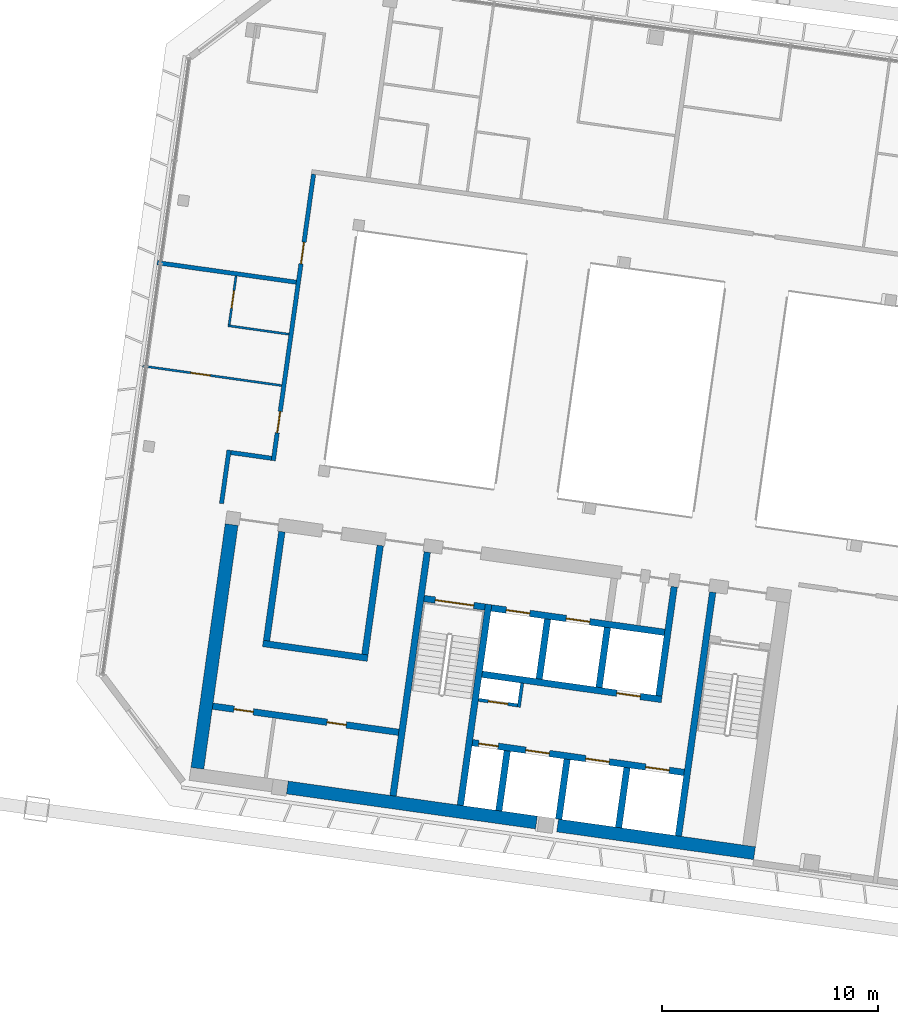
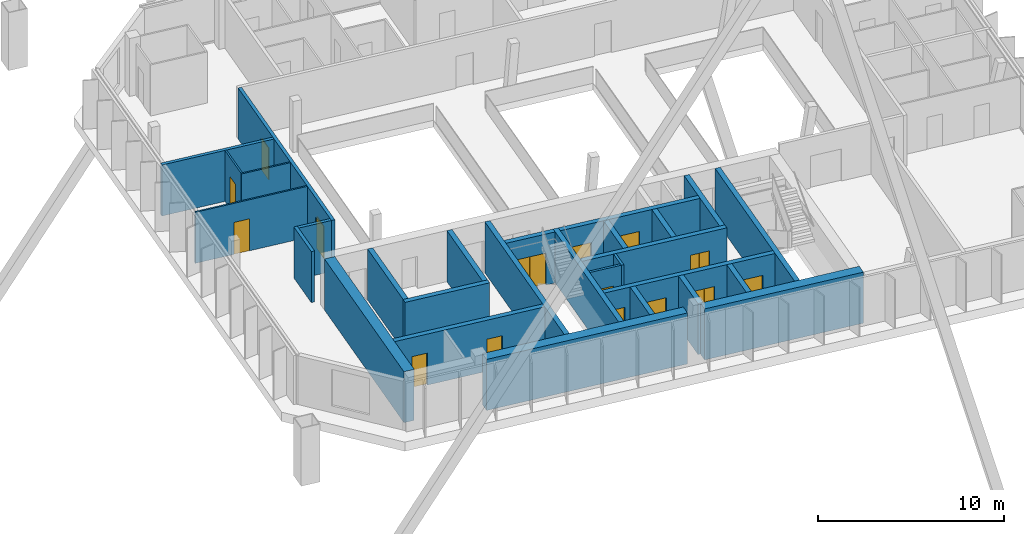
# One storey, part 19 of 28: 29 walls, 15 doors, 15 openings.
"""IFC4 building model written with IfcOpenShell, lengths in metres."""

from ifc_helpers import new_model, si_unit, direction, frame, frame_2d, origin, place, context, subcontext, project, spatial, rectangle, extrude, material, layer, layer_set, type_object, element, fill, save


model = new_model("IFC4")

# Units and contexts
model_context = context("Model", 3, precision=1e-05, world=origin(), true_north=direction((0.0, 1.0)))
body_context = subcontext(model_context, "Body", "Model", "MODEL_VIEW")
ifc_project = project(units=[si_unit("LENGTHUNIT", "METRE"), si_unit("AREAUNIT", "SQUARE_METRE"), si_unit("VOLUMEUNIT", "CUBIC_METRE"), si_unit("PLANEANGLEUNIT", "RADIAN"), si_unit("MASSUNIT", "GRAM", prefix="KILO")], contexts=[model_context])

# Site, building, storey
site_placement = place(None, origin())
site = spatial("IfcSite", under=ifc_project, at=site_placement, CompositionType="ELEMENT")
building_placement = place(site_placement, origin())
building = spatial("IfcBuilding", under=site, at=building_placement, Name="Mirante Cascada Hotel Towers", CompositionType="ELEMENT")
storey_placement = place(building_placement, frame((0.0, 0.0, 243.2)))
storey = spatial("IfcBuildingStorey", under=building, at=storey_placement, Name="L58", CompositionType="ELEMENT", Elevation=243.2)

# Walls
ifc_material_1 = material(Name="Fire-rated plasterboard on metal studs")
ifc_layer_1 = layer(ifc_material_1, 0.2)
ifc_layer_set_1 = layer_set([ifc_layer_1], Name="Compartment wall 200 EI 120")
wall_type_1 = type_object("IfcWallType", Name="Compartment wall 200 EI 120", PredefinedType="PARTITIONING", material=ifc_layer_set_1)
wall_1_placement = place(storey_placement, frame((-61.5676, -0.9969, 0.0), z_axis=(0.0, 0.0, 1.0), x_axis=(0.9902701, -0.1391589, 0.0)))
element("IfcWall", 1, at=wall_1_placement, inside=storey, type_object=wall_type_1, Name="Wall 1-L58-04", PredefinedType="PARTITIONING", context=body_context, shape_type="SweptSolid", body=[
    extrude(rectangle(XDim=1.9, YDim=0.2, at=frame_2d((0.95, 0.0))), origin(), (0.0, 0.0, 1.0), 3.35),
])
wall_2_placement = place(storey_placement, frame((-58.5402, 6.8919, 0.0), z_axis=(0.0, 0.0, 1.0), x_axis=(-0.9902688, 0.1391681, 0.0)))
element("IfcWall", 2, at=wall_2_placement, inside=storey, type_object=wall_type_1, Name="Wall 1-L58-13", PredefinedType="PARTITIONING", context=body_context, shape_type="SweptSolid", body=[
    extrude(rectangle(XDim=6.5001, YDim=0.2, at=frame_2d((3.25, 0.0))), origin(), (0.0, 0.0, 1.0), 3.35),
])

# Wall, openings, doors
wall_3_placement = place(storey_placement, frame((-57.7361, 11.8953, 0.0), z_axis=(0.0, 0.0, 1.0), x_axis=(-0.1391726, -0.9902681, 0.0)))
wall_3 = element("IfcWall", 3, at=wall_3_placement, inside=storey, type_object=wall_type_1, Name="Wall 1-L58-46", PredefinedType="PARTITIONING", context=body_context, shape_type="SweptSolid", body=[
    extrude(rectangle(XDim=13.3999, YDim=0.2, at=frame_2d((6.7, 0.0))), origin(), (0.0, 0.0, 1.0), 3.35),
])
opening_1_placement = place(wall_3_placement, frame((11.1, 0.0, 0.0)))
opening_1 = element("IfcOpeningElement", 4, at=opening_1_placement, cuts=wall_3, Name="Opening D1-L58-28", PredefinedType="OPENING", context=body_context, shape_type="SweptSolid", body=[
    extrude(rectangle(XDim=1.0, YDim=2.1, at=frame_2d((0.5, 1.05))), frame((0.0, 0.1, 0.0), z_axis=(0.0, -1.0, 0.0), x_axis=(1.0, 0.0, 0.0)), (0.0, 0.0, 1.0), 0.2),
])
opening_2_placement = place(wall_3_placement, frame((3.1834, 0.0, 0.0)))
opening_2 = element("IfcOpeningElement", 5, at=opening_2_placement, cuts=wall_3, Name="Opening D1-L58-29", PredefinedType="OPENING", context=body_context, shape_type="SweptSolid", body=[
    extrude(rectangle(XDim=1.0, YDim=2.1, at=frame_2d((0.5, 1.05))), frame((0.0, 0.1, 0.0), z_axis=(0.0, -1.0, 0.0), x_axis=(1.0, 0.0, 0.0)), (0.0, 0.0, 1.0), 0.2),
])
ifc_material_2 = material(Name="Fire-rated timber door leaf", Category="wood")
door_type_1 = type_object("IfcDoorType", Name="Entrance door DG1 1000x2100 EI 60", OperationType="SINGLE_SWING_LEFT", PredefinedType="DOOR", material=ifc_material_2)
door_1_placement = place(opening_1_placement, frame((1.0, 0.0, 0.0), z_axis=(0.0, 0.0, 1.0), x_axis=(-1.0, 0.0, 0.0)))
door_1 = element("IfcDoor", 6, at=door_1_placement, inside=storey, type_object=door_type_1, Name="Door D1-L58-28", OperationType="SINGLE_SWING_RIGHT", OverallHeight=2.1, OverallWidth=1.0, PredefinedType="DOOR", context=body_context, shape_type="SweptSolid", body=[
    extrude(rectangle(XDim=1.0, YDim=2.1, at=frame_2d((0.5, 1.05))), frame((0.0, 0.025, 0.0), z_axis=(0.0, -1.0, 0.0), x_axis=(1.0, 0.0, 0.0)), (0.0, 0.0, 1.0), 0.05),
])
fill(opening_1, door_1)
door_2_placement = place(opening_2_placement, frame((1.0, 0.0, 0.0), z_axis=(0.0, 0.0, 1.0), x_axis=(-1.0, 0.0, 0.0)))
door_2 = element("IfcDoor", 7, at=door_2_placement, inside=storey, type_object=door_type_1, Name="Door D1-L58-29", OperationType="SINGLE_SWING_RIGHT", OverallHeight=2.1, OverallWidth=1.0, PredefinedType="DOOR", context=body_context, shape_type="SweptSolid", body=[
    extrude(rectangle(XDim=1.0, YDim=2.1, at=frame_2d((0.5, 1.05))), frame((0.0, 0.025, 0.0), z_axis=(0.0, -1.0, 0.0), x_axis=(1.0, 0.0, 0.0)), (0.0, 0.0, 1.0), 0.05),
])
fill(opening_2, door_2)

# Walls
wall_4_placement = place(storey_placement, frame((-61.6527, -0.8839, 0.0), z_axis=(0.0, 0.0, 1.0), x_axis=(-0.1391586, -0.9902701, 0.0)))
element("IfcWall", 8, at=wall_4_placement, inside=storey, type_object=wall_type_1, Name="Wall 1-L58-48", PredefinedType="PARTITIONING", context=body_context, shape_type="SweptSolid", body=[
    extrude(rectangle(XDim=2.5, YDim=0.2, at=frame_2d((1.25, 0.0))), origin(), (0.0, 0.0, 1.0), 3.35),
])
ifc_material_3 = material(Name="Masonry block", Category="masonry")
ifc_layer_2 = layer(ifc_material_3, 0.15)
ifc_layer_set_2 = layer_set([ifc_layer_2], Name="Core room partition 150 block EI 30")
wall_type_2 = type_object("IfcWallType", Name="Core room partition 150 block EI 30", PredefinedType="PARTITIONING", material=ifc_layer_set_2)
wall_5_placement = place(storey_placement, frame((-48.2295, -12.793, 0.0), z_axis=(0.0, 0.0, 1.0), x_axis=(0.1391935, 0.9902652, 0.0)))
element("IfcWall", 9, at=wall_5_placement, inside=storey, type_object=wall_type_2, Name="Core wall partition T1 L58 2", PredefinedType="PARTITIONING", context=body_context, shape_type="SweptSolid", body=[
    extrude(rectangle(XDim=1.1251, YDim=0.15, at=frame_2d((0.5626, 0.0))), origin(), (0.0, 0.0, 1.0), 3.35),
])

# Wall, opening, door
wall_6_placement = place(storey_placement, frame((-48.2933, -12.7083, 0.0), z_axis=(0.0, 0.0, 1.0), x_axis=(-0.990268, 0.1391734, 0.0)))
wall_6 = element("IfcWall", 10, at=wall_6_placement, inside=storey, type_object=wall_type_2, Name="Core wall partition T1 L58 3", PredefinedType="PARTITIONING", context=body_context, shape_type="SweptSolid", body=[
    extrude(rectangle(XDim=1.8251, YDim=0.15, at=frame_2d((0.9126, 0.0))), origin(), (0.0, 0.0, 1.0), 3.35),
])
opening_3_placement = place(wall_6_placement, frame((0.4625, 0.0, 0.0)))
opening_3 = element("IfcOpeningElement", 11, at=opening_3_placement, cuts=wall_6, Name="Opening D1-58-C15", PredefinedType="OPENING", context=body_context, shape_type="SweptSolid", body=[
    extrude(rectangle(XDim=0.9, YDim=2.1, at=frame_2d((0.45, 1.05))), frame((0.0, 0.075, 0.0), z_axis=(0.0, -1.0, 0.0), x_axis=(1.0, 0.0, 0.0)), (0.0, 0.0, 1.0), 0.15),
])
ifc_material_4 = material(Name="Hollow metal fire door leaf")
door_type_2 = type_object("IfcDoorType", Name="Fire door 900x2100 FD60", OperationType="NOTDEFINED", PredefinedType="DOOR", material=ifc_material_4)
door_3_placement = place(opening_3_placement, origin())
door_3 = element("IfcDoor", 12, at=door_3_placement, inside=storey, type_object=door_type_2, Name="Riser door T1 L58 15", OperationType="SINGLE_SWING_LEFT", OverallHeight=2.1, OverallWidth=0.9, PredefinedType="DOOR", context=body_context, shape_type="SweptSolid", body=[
    extrude(rectangle(XDim=0.9, YDim=2.1, at=frame_2d((0.45, 1.05))), frame((0.0, 0.025, 0.0), z_axis=(0.0, -1.0, 0.0), x_axis=(1.0, 0.0, 0.0)), (0.0, 0.0, 1.0), 0.05),
])
fill(opening_3, door_3)

# Wall, openings, doors
ifc_material_5 = material(Name="Masonry block", Category="masonry")
ifc_layer_3 = layer(ifc_material_5, 0.3)
ifc_layer_set_3 = layer_set([ifc_layer_3], Name="Core wall 300 block EI 120")
wall_type_3 = type_object("IfcWallType", Name="Core wall 300 block EI 120", PredefinedType="PARTITIONING", material=ifc_layer_set_3)
wall_7_placement = place(storey_placement, frame((-53.7953, -13.9547, 0.0), z_axis=(0.0, 0.0, 1.0), x_axis=(-0.9902683, 0.1391714, 0.0)))
wall_7 = element("IfcWall", 13, at=wall_7_placement, inside=storey, type_object=wall_type_3, Name="Core wall partition T1 L58 5", PredefinedType="PARTITIONING", context=body_context, shape_type="SweptSolid", body=[
    extrude(rectangle(XDim=8.7001, YDim=0.3, at=frame_2d((4.3501, 0.0))), origin(), (0.0, 0.0, 1.0), 3.35),
])
opening_4_placement = place(wall_7_placement, frame((2.45, 0.0, 0.0)))
opening_4 = element("IfcOpeningElement", 14, at=opening_4_placement, cuts=wall_7, Name="Opening D1-58-C18", PredefinedType="OPENING", context=body_context, shape_type="SweptSolid", body=[
    extrude(rectangle(XDim=0.9, YDim=2.1, at=frame_2d((0.45, 1.05))), frame((0.0, 0.15, 0.0), z_axis=(0.0, -1.0, 0.0), x_axis=(1.0, 0.0, 0.0)), (0.0, 0.0, 1.0), 0.3),
])
opening_5_placement = place(wall_7_placement, frame((6.8, 0.0, 0.0)))
opening_5 = element("IfcOpeningElement", 15, at=opening_5_placement, cuts=wall_7, Name="Opening D1-58-C19", PredefinedType="OPENING", context=body_context, shape_type="SweptSolid", body=[
    extrude(rectangle(XDim=0.9, YDim=2.1, at=frame_2d((0.45, 1.05))), frame((0.0, 0.15, 0.0), z_axis=(0.0, -1.0, 0.0), x_axis=(1.0, 0.0, 0.0)), (0.0, 0.0, 1.0), 0.3),
])
door_4_placement = place(opening_4_placement, origin())
door_4 = element("IfcDoor", 16, at=door_4_placement, inside=storey, type_object=door_type_2, Name="Room door T1 L58 18", OperationType="SINGLE_SWING_RIGHT", OverallHeight=2.1, OverallWidth=0.9, PredefinedType="DOOR", context=body_context, shape_type="SweptSolid", body=[
    extrude(rectangle(XDim=0.9, YDim=2.1, at=frame_2d((0.45, 1.05))), frame((0.0, 0.025, 0.0), z_axis=(0.0, -1.0, 0.0), x_axis=(1.0, 0.0, 0.0)), (0.0, 0.0, 1.0), 0.05),
])
fill(opening_4, door_4)
door_5_placement = place(opening_5_placement, origin())
door_5 = element("IfcDoor", 17, at=door_5_placement, inside=storey, type_object=door_type_2, Name="Room door T1 L58 19", OperationType="SINGLE_SWING_LEFT", OverallHeight=2.1, OverallWidth=0.9, PredefinedType="DOOR", context=body_context, shape_type="SweptSolid", body=[
    extrude(rectangle(XDim=0.9, YDim=2.1, at=frame_2d((0.45, 1.05))), frame((0.0, 0.025, 0.0), z_axis=(0.0, -1.0, 0.0), x_axis=(1.0, 0.0, 0.0)), (0.0, 0.0, 1.0), 0.05),
])
fill(opening_5, door_5)

# Wall, opening, door
ifc_material_6 = material(Name="Plasterboard on metal studs")
ifc_layer_4 = layer(ifc_material_6, 0.1)
ifc_layer_set_4 = layer_set([ifc_layer_4], Name="Partition 100")
wall_type_4 = type_object("IfcWallType", Name="Partition 100", PredefinedType="PARTITIONING", material=ifc_layer_set_4)
wall_8_placement = place(storey_placement, frame((-65.6497, 3.0102, 0.0), z_axis=(0.0, 0.0, 1.0), x_axis=(0.9902688, -0.1391681, 0.0)))
wall_8 = element("IfcWall", 18, at=wall_8_placement, inside=storey, type_object=wall_type_4, Name="Wall 1-L58-08", PredefinedType="PARTITIONING", context=body_context, shape_type="SweptSolid", body=[
    extrude(rectangle(XDim=6.5001, YDim=0.1, at=frame_2d((3.25, 0.0))), origin(), (0.0, 0.0, 1.0), 3.35),
])
opening_6_placement = place(wall_8_placement, frame((2.25, 0.0, 0.0)))
opening_6 = element("IfcOpeningElement", 19, at=opening_6_placement, cuts=wall_8, Name="Opening D1-L58-06", PredefinedType="OPENING", context=body_context, shape_type="SweptSolid", body=[
    extrude(rectangle(XDim=0.9, YDim=2.1, at=frame_2d((0.45, 1.05))), frame((0.0, 0.05, 0.0), z_axis=(0.0, -1.0, 0.0), x_axis=(1.0, 0.0, 0.0)), (0.0, 0.0, 1.0), 0.1),
])
ifc_material_7 = material(Name="Timber door leaf", Category="wood")
door_type_3 = type_object("IfcDoorType", Name="Room door DG3 900x2100", OperationType="SINGLE_SWING_LEFT", PredefinedType="DOOR", material=ifc_material_7)
door_6_placement = place(opening_6_placement, frame((0.9, 0.0, 0.0), z_axis=(0.0, 0.0, 1.0), x_axis=(-1.0, 0.0, 0.0)))
door_6 = element("IfcDoor", 20, at=door_6_placement, inside=storey, type_object=door_type_3, Name="Door D1-L58-06", OperationType="SINGLE_SWING_RIGHT", OverallHeight=2.1, OverallWidth=0.9, PredefinedType="DOOR", context=body_context, shape_type="SweptSolid", body=[
    extrude(rectangle(XDim=0.9, YDim=2.1, at=frame_2d((0.45, 1.05))), frame((0.0, 0.025, 0.0), z_axis=(0.0, -1.0, 0.0), x_axis=(1.0, 0.0, 0.0)), (0.0, 0.0, 1.0), 0.05),
])
fill(opening_6, door_6)

# Wall
wall_9_placement = place(storey_placement, frame((-58.8789, 4.4822, 0.0), z_axis=(0.0, 0.0, 1.0), x_axis=(-0.9902656, 0.1391909, 0.0)))
element("IfcWall", 21, at=wall_9_placement, inside=storey, type_object=wall_type_4, Name="Wall 1-L58-11", PredefinedType="PARTITIONING", context=body_context, shape_type="SweptSolid", body=[
    extrude(rectangle(XDim=2.85, YDim=0.1, at=frame_2d((1.425, 0.0))), origin(), (0.0, 0.0, 1.0), 3.35),
])

# Wall, opening, door
wall_10_placement = place(storey_placement, frame((-61.6447, 4.9214, 0.0), z_axis=(0.0, 0.0, 1.0), x_axis=(0.139183, 0.9902667, 0.0)))
wall_10 = element("IfcWall", 22, at=wall_10_placement, inside=storey, type_object=wall_type_4, Name="Wall 1-L58-49", PredefinedType="PARTITIONING", context=body_context, shape_type="SweptSolid", body=[
    extrude(rectangle(XDim=2.2833, YDim=0.1, at=frame_2d((1.1416, 0.0))), origin(), (0.0, 0.0, 1.0), 3.35),
])
opening_7_placement = place(wall_10_placement, frame((0.7833, 0.0, 0.0)))
opening_7 = element("IfcOpeningElement", 23, at=opening_7_placement, cuts=wall_10, Name="Opening D1-L58-30", PredefinedType="OPENING", context=body_context, shape_type="SweptSolid", body=[
    extrude(rectangle(XDim=0.8, YDim=2.1, at=frame_2d((0.4, 1.05))), frame((0.0, 0.05, 0.0), z_axis=(0.0, -1.0, 0.0), x_axis=(1.0, 0.0, 0.0)), (0.0, 0.0, 1.0), 0.1),
])
ifc_material_8 = material(Name="Timber door leaf", Category="wood")
door_type_4 = type_object("IfcDoorType", Name="Bathroom door DG4 800x2100", OperationType="SINGLE_SWING_LEFT", PredefinedType="DOOR", material=ifc_material_8)
door_7_placement = place(opening_7_placement, origin())
door_7 = element("IfcDoor", 24, at=door_7_placement, inside=storey, type_object=door_type_4, Name="Door D1-L58-30", OperationType="SINGLE_SWING_LEFT", OverallHeight=2.1, OverallWidth=0.8, PredefinedType="DOOR", context=body_context, shape_type="SweptSolid", body=[
    extrude(rectangle(XDim=0.8, YDim=2.1, at=frame_2d((0.4, 1.05))), frame((0.0, 0.025, 0.0), z_axis=(0.0, -1.0, 0.0), x_axis=(1.0, 0.0, 0.0)), (0.0, 0.0, 1.0), 0.05),
])
fill(opening_7, door_7)

# Walls
ifc_material_9 = material(Name="Concrete C50/60", Category="concrete")
ifc_layer_5 = layer(ifc_material_9, 0.3)
ifc_layer_set_5 = layer_set([ifc_layer_5], Name="RC core wall 300 C50/60")
wall_type_5 = type_object("IfcWallType", Name="RC core wall 300 C50/60", PredefinedType="SHEAR", material=ifc_layer_set_5)
wall_11_placement = place(storey_placement, frame((-40.8373, -18.7548, 0.0), z_axis=(0.0, 0.0, 1.0), x_axis=(0.1391749, 0.9902678, 0.0)))
element("IfcWall", 25, at=wall_11_placement, inside=storey, type_object=wall_type_5, Name="Core wall T1:L58:5", PredefinedType="SHEAR", context=body_context, shape_type="SweptSolid", body=[
    extrude(rectangle(XDim=11.4, YDim=0.3, at=frame_2d((5.7, 0.0))), origin(), (0.0, 0.0, 1.0), 3.35),
])
wall_12_placement = place(storey_placement, frame((-50.938, -17.3352, 0.0), z_axis=(0.0, 0.0, 1.0), x_axis=(0.1391706, 0.9902684, 0.0)))
element("IfcWall", 26, at=wall_12_placement, inside=storey, type_object=wall_type_5, Name="Core wall T1:L58:6", PredefinedType="SHEAR", context=body_context, shape_type="SweptSolid", body=[
    extrude(rectangle(XDim=9.4, YDim=0.3, at=frame_2d((4.7, 0.0))), origin(), (0.0, 0.0, 1.0), 3.35),
])
wall_13_placement = place(storey_placement, frame((-54.0574, -16.8968, 0.0), z_axis=(0.0, 0.0, 1.0), x_axis=(0.1391761, 0.9902677, 0.0)))
element("IfcWall", 27, at=wall_13_placement, inside=storey, type_object=wall_type_5, Name="Core wall T1:L58:7", PredefinedType="SHEAR", context=body_context, shape_type="SweptSolid", body=[
    extrude(rectangle(XDim=11.3999, YDim=0.3, at=frame_2d((5.7, 0.0))), origin(), (0.0, 0.0, 1.0), 3.35),
])

# Wall, opening, door
wall_14_placement = place(storey_placement, frame((-49.7992, -8.1544, 0.0), z_axis=(0.0, 0.0, 1.0), x_axis=(-0.9902656, 0.1391909, 0.0)))
wall_14 = element("IfcWall", 28, at=wall_14_placement, inside=storey, type_object=wall_type_5, Name="Core wall T1:L58:9", PredefinedType="SHEAR", context=body_context, shape_type="SweptSolid", body=[
    extrude(rectangle(XDim=2.85, YDim=0.3, at=frame_2d((1.425, 0.0))), origin(), (0.0, 0.0, 1.0), 3.35),
])
opening_8_placement = place(wall_14_placement, frame((0.525, 0.0, 0.0)))
opening_8 = element("IfcOpeningElement", 29, at=opening_8_placement, cuts=wall_14, Name="Opening D1-58-C09", PredefinedType="OPENING", context=body_context, shape_type="SweptSolid", body=[
    extrude(rectangle(XDim=1.8, YDim=2.1, at=frame_2d((0.9, 1.05))), frame((0.0, 0.15, 0.0), z_axis=(0.0, -1.0, 0.0), x_axis=(1.0, 0.0, 0.0)), (0.0, 0.0, 1.0), 0.3),
])
ifc_material_10 = material(Name="Hollow metal fire door leaf")
door_type_5 = type_object("IfcDoorType", Name="Double fire door 1800x2100 FD60", OperationType="DOUBLE_DOOR_SINGLE_SWING", PredefinedType="DOOR", material=ifc_material_10)
door_8_placement = place(opening_8_placement, origin())
door_8 = element("IfcDoor", 30, at=door_8_placement, inside=storey, type_object=door_type_5, Name="Stair door T1 L58 9", OperationType="DOUBLE_DOOR_SINGLE_SWING", OverallHeight=2.1, OverallWidth=1.8, PredefinedType="DOOR", context=body_context, shape_type="SweptSolid", body=[
    extrude(rectangle(XDim=0.895, YDim=2.1, at=frame_2d((0.4475, 1.05))), frame((0.0, 0.025, 0.0), z_axis=(0.0, -1.0, 0.0), x_axis=(1.0, 0.0, 0.0)), (0.0, 0.0, 1.0), 0.05),
    extrude(rectangle(XDim=0.895, YDim=2.1, at=frame_2d((1.3525, 1.05))), frame((0.0, 0.025, 0.0), z_axis=(0.0, -1.0, 0.0), x_axis=(1.0, 0.0, 0.0)), (0.0, 0.0, 1.0), 0.05),
])
fill(opening_8, door_8)

# Wall, openings, doors
wall_15_placement = place(storey_placement, frame((-40.5753, -15.8126, 0.0), z_axis=(0.0, 0.0, 1.0), x_axis=(-0.9902682, 0.1391725, 0.0)))
wall_15 = element("IfcWall", 31, at=wall_15_placement, inside=storey, type_object=wall_type_5, Name="Core wall T1:L58:10", PredefinedType="SHEAR", context=body_context, shape_type="SweptSolid", body=[
    extrude(rectangle(XDim=9.8999, YDim=0.3, at=frame_2d((4.95, 0.0))), origin(), (0.0, 0.0, 1.0), 3.35),
])
opening_9_placement = place(wall_15_placement, frame((0.7, 0.0, 0.0)))
opening_9 = element("IfcOpeningElement", 32, at=opening_9_placement, cuts=wall_15, Name="Opening LD", PredefinedType="OPENING", context=body_context, shape_type="SweptSolid", body=[
    extrude(rectangle(XDim=1.1, YDim=2.1, at=frame_2d((0.55, 1.05))), frame((0.0, 0.15, 0.0), z_axis=(0.0, -1.0, 0.0), x_axis=(1.0, 0.0, 0.0)), (0.0, 0.0, 1.0), 0.3),
])
opening_10_placement = place(wall_15_placement, frame((3.5, 0.0, 0.0)))
opening_10 = element("IfcOpeningElement", 33, at=opening_10_placement, cuts=wall_15, Name="Opening LD", PredefinedType="OPENING", context=body_context, shape_type="SweptSolid", body=[
    extrude(rectangle(XDim=1.1, YDim=2.1, at=frame_2d((0.55, 1.05))), frame((0.0, 0.15, 0.0), z_axis=(0.0, -1.0, 0.0), x_axis=(1.0, 0.0, 0.0)), (0.0, 0.0, 1.0), 0.3),
])
opening_11_placement = place(wall_15_placement, frame((6.3, 0.0, 0.0)))
opening_11 = element("IfcOpeningElement", 34, at=opening_11_placement, cuts=wall_15, Name="Opening LD", PredefinedType="OPENING", context=body_context, shape_type="SweptSolid", body=[
    extrude(rectangle(XDim=1.1, YDim=2.1, at=frame_2d((0.55, 1.05))), frame((0.0, 0.15, 0.0), z_axis=(0.0, -1.0, 0.0), x_axis=(1.0, 0.0, 0.0)), (0.0, 0.0, 1.0), 0.3),
])
opening_12_placement = place(wall_15_placement, frame((8.7, 0.0, 0.0)))
opening_12 = element("IfcOpeningElement", 35, at=opening_12_placement, cuts=wall_15, Name="Opening D1-58-C14", PredefinedType="OPENING", context=body_context, shape_type="SweptSolid", body=[
    extrude(rectangle(XDim=0.9, YDim=2.1, at=frame_2d((0.45, 1.05))), frame((0.0, 0.15, 0.0), z_axis=(0.0, -1.0, 0.0), x_axis=(1.0, 0.0, 0.0)), (0.0, 0.0, 1.0), 0.3),
])
door_9_placement = place(opening_12_placement, origin())
door_9 = element("IfcDoor", 36, at=door_9_placement, inside=storey, type_object=door_type_2, Name="Riser door T1 L58 14", OperationType="SINGLE_SWING_LEFT", OverallHeight=2.1, OverallWidth=0.9, PredefinedType="DOOR", context=body_context, shape_type="SweptSolid", body=[
    extrude(rectangle(XDim=0.9, YDim=2.1, at=frame_2d((0.45, 1.05))), frame((0.0, 0.025, 0.0), z_axis=(0.0, -1.0, 0.0), x_axis=(1.0, 0.0, 0.0)), (0.0, 0.0, 1.0), 0.05),
])
fill(opening_12, door_9)
ifc_material_11 = material(Name="Stainless steel", Category="steel")
door_type_6 = type_object("IfcDoorType", Name="Lift landing door 1100x2100 EI 120", OperationType="DOUBLE_DOOR_SLIDING", PredefinedType="DOOR", material=ifc_material_11)
door_10_placement = place(opening_9_placement, origin())
door_10 = element("IfcDoor", 37, at=door_10_placement, inside=storey, type_object=door_type_6, Name="Lift landing door HR1-1 L58", OperationType="DOUBLE_DOOR_SLIDING", OverallHeight=2.1, OverallWidth=1.1, PredefinedType="DOOR", context=body_context, shape_type="SweptSolid", body=[
    extrude(rectangle(XDim=0.545, YDim=2.1, at=frame_2d((0.2725, 1.05))), frame((0.0, 0.025, 0.0), z_axis=(0.0, -1.0, 0.0), x_axis=(1.0, 0.0, 0.0)), (0.0, 0.0, 1.0), 0.05),
    extrude(rectangle(XDim=0.545, YDim=2.1, at=frame_2d((0.8275, 1.05))), frame((0.0, 0.025, 0.0), z_axis=(0.0, -1.0, 0.0), x_axis=(1.0, 0.0, 0.0)), (0.0, 0.0, 1.0), 0.05),
])
fill(opening_9, door_10)
door_11_placement = place(opening_10_placement, origin())
door_11 = element("IfcDoor", 38, at=door_11_placement, inside=storey, type_object=door_type_6, Name="Lift landing door HR1-2 L58", OperationType="DOUBLE_DOOR_SLIDING", OverallHeight=2.1, OverallWidth=1.1, PredefinedType="DOOR", context=body_context, shape_type="SweptSolid", body=[
    extrude(rectangle(XDim=0.545, YDim=2.1, at=frame_2d((0.2725, 1.05))), frame((0.0, 0.025, 0.0), z_axis=(0.0, -1.0, 0.0), x_axis=(1.0, 0.0, 0.0)), (0.0, 0.0, 1.0), 0.05),
    extrude(rectangle(XDim=0.545, YDim=2.1, at=frame_2d((0.8275, 1.05))), frame((0.0, 0.025, 0.0), z_axis=(0.0, -1.0, 0.0), x_axis=(1.0, 0.0, 0.0)), (0.0, 0.0, 1.0), 0.05),
])
fill(opening_10, door_11)
door_12_placement = place(opening_11_placement, origin())
door_12 = element("IfcDoor", 39, at=door_12_placement, inside=storey, type_object=door_type_6, Name="Lift landing door HR1-3 L58", OperationType="DOUBLE_DOOR_SLIDING", OverallHeight=2.1, OverallWidth=1.1, PredefinedType="DOOR", context=body_context, shape_type="SweptSolid", body=[
    extrude(rectangle(XDim=0.545, YDim=2.1, at=frame_2d((0.2725, 1.05))), frame((0.0, 0.025, 0.0), z_axis=(0.0, -1.0, 0.0), x_axis=(1.0, 0.0, 0.0)), (0.0, 0.0, 1.0), 0.05),
    extrude(rectangle(XDim=0.545, YDim=2.1, at=frame_2d((0.8275, 1.05))), frame((0.0, 0.025, 0.0), z_axis=(0.0, -1.0, 0.0), x_axis=(1.0, 0.0, 0.0)), (0.0, 0.0, 1.0), 0.05),
])
fill(opening_11, door_12)

# Wall, opening, door
wall_16_placement = place(storey_placement, frame((-41.6153, -12.435, 0.0), z_axis=(0.0, 0.0, 1.0), x_axis=(-0.9902691, 0.139166, 0.0)))
wall_16 = element("IfcWall", 40, at=wall_16_placement, inside=storey, type_object=wall_type_5, Name="Core wall T1:L58:11", PredefinedType="SHEAR", context=body_context, shape_type="SweptSolid", body=[
    extrude(rectangle(XDim=8.4, YDim=0.3, at=frame_2d((4.2, 0.0))), origin(), (0.0, 0.0, 1.0), 3.35),
])
opening_13_placement = place(wall_16_placement, frame((1.0, 0.0, 0.0)))
opening_13 = element("IfcOpeningElement", 41, at=opening_13_placement, cuts=wall_16, Name="Opening LD", PredefinedType="OPENING", context=body_context, shape_type="SweptSolid", body=[
    extrude(rectangle(XDim=1.1, YDim=2.1, at=frame_2d((0.55, 1.05))), frame((0.0, 0.15, 0.0), z_axis=(0.0, -1.0, 0.0), x_axis=(1.0, 0.0, 0.0)), (0.0, 0.0, 1.0), 0.3),
])
door_13_placement = place(opening_13_placement, origin())
door_13 = element("IfcDoor", 42, at=door_13_placement, inside=storey, type_object=door_type_6, Name="Lift landing door HR1-4 L58", OperationType="DOUBLE_DOOR_SLIDING", OverallHeight=2.1, OverallWidth=1.1, PredefinedType="DOOR", context=body_context, shape_type="SweptSolid", body=[
    extrude(rectangle(XDim=0.545, YDim=2.1, at=frame_2d((0.2725, 1.05))), frame((0.0, 0.025, 0.0), z_axis=(0.0, -1.0, 0.0), x_axis=(1.0, 0.0, 0.0)), (0.0, 0.0, 1.0), 0.05),
    extrude(rectangle(XDim=0.545, YDim=2.1, at=frame_2d((0.8275, 1.05))), frame((0.0, 0.025, 0.0), z_axis=(0.0, -1.0, 0.0), x_axis=(1.0, 0.0, 0.0)), (0.0, 0.0, 1.0), 0.05),
])
fill(opening_13, door_13)

# Wall, openings, doors
wall_17_placement = place(storey_placement, frame((-41.481, -9.3234, 0.0), z_axis=(0.0, 0.0, 1.0), x_axis=(-0.9902679, 0.1391741, 0.0)))
wall_17 = element("IfcWall", 43, at=wall_17_placement, inside=storey, type_object=wall_type_5, Name="Core wall T1:L58:12", PredefinedType="SHEAR", context=body_context, shape_type="SweptSolid", body=[
    extrude(rectangle(XDim=8.0999, YDim=0.3, at=frame_2d((4.05, 0.0))), origin(), (0.0, 0.0, 1.0), 3.35),
])
opening_14_placement = place(wall_17_placement, frame((3.5, 0.0, 0.0)))
opening_14 = element("IfcOpeningElement", 44, at=opening_14_placement, cuts=wall_17, Name="Opening LD", PredefinedType="OPENING", context=body_context, shape_type="SweptSolid", body=[
    extrude(rectangle(XDim=1.1, YDim=2.1, at=frame_2d((0.55, 1.05))), frame((0.0, 0.15, 0.0), z_axis=(0.0, -1.0, 0.0), x_axis=(1.0, 0.0, 0.0)), (0.0, 0.0, 1.0), 0.3),
])
opening_15_placement = place(wall_17_placement, frame((6.3, 0.0, 0.0)))
opening_15 = element("IfcOpeningElement", 45, at=opening_15_placement, cuts=wall_17, Name="Opening LD", PredefinedType="OPENING", context=body_context, shape_type="SweptSolid", body=[
    extrude(rectangle(XDim=1.1, YDim=2.1, at=frame_2d((0.55, 1.05))), frame((0.0, 0.15, 0.0), z_axis=(0.0, -1.0, 0.0), x_axis=(1.0, 0.0, 0.0)), (0.0, 0.0, 1.0), 0.3),
])
door_14_placement = place(opening_14_placement, origin())
door_14 = element("IfcDoor", 46, at=door_14_placement, inside=storey, type_object=door_type_6, Name="Lift landing door FF1 L58", OperationType="DOUBLE_DOOR_SLIDING", OverallHeight=2.1, OverallWidth=1.1, PredefinedType="DOOR", context=body_context, shape_type="SweptSolid", body=[
    extrude(rectangle(XDim=0.545, YDim=2.1, at=frame_2d((0.2725, 1.05))), frame((0.0, 0.025, 0.0), z_axis=(0.0, -1.0, 0.0), x_axis=(1.0, 0.0, 0.0)), (0.0, 0.0, 1.0), 0.05),
    extrude(rectangle(XDim=0.545, YDim=2.1, at=frame_2d((0.8275, 1.05))), frame((0.0, 0.025, 0.0), z_axis=(0.0, -1.0, 0.0), x_axis=(1.0, 0.0, 0.0)), (0.0, 0.0, 1.0), 0.05),
])
fill(opening_14, door_14)
door_15_placement = place(opening_15_placement, origin())
door_15 = element("IfcDoor", 47, at=door_15_placement, inside=storey, type_object=door_type_6, Name="Lift landing door FF2 L58", OperationType="DOUBLE_DOOR_SLIDING", OverallHeight=2.1, OverallWidth=1.1, PredefinedType="DOOR", context=body_context, shape_type="SweptSolid", body=[
    extrude(rectangle(XDim=0.545, YDim=2.1, at=frame_2d((0.2725, 1.05))), frame((0.0, 0.025, 0.0), z_axis=(0.0, -1.0, 0.0), x_axis=(1.0, 0.0, 0.0)), (0.0, 0.0, 1.0), 0.05),
    extrude(rectangle(XDim=0.545, YDim=2.1, at=frame_2d((0.8275, 1.05))), frame((0.0, 0.025, 0.0), z_axis=(0.0, -1.0, 0.0), x_axis=(1.0, 0.0, 0.0)), (0.0, 0.0, 1.0), 0.05),
])
fill(opening_15, door_15)

# Walls
wall_18_placement = place(storey_placement, frame((-43.61, -18.3651, 0.0), z_axis=(0.0, 0.0, 1.0), x_axis=(0.1391459, 0.9902719, 0.0)))
element("IfcWall", 48, at=wall_18_placement, inside=storey, type_object=wall_type_5, Name="Core wall T1:L58:13", PredefinedType="SHEAR", context=body_context, shape_type="SweptSolid", body=[
    extrude(rectangle(XDim=2.7999, YDim=0.3, at=frame_2d((1.4, 0.0))), origin(), (0.0, 0.0, 1.0), 3.35),
])
wall_19_placement = place(storey_placement, frame((-46.3828, -17.9754, 0.0), z_axis=(0.0, 0.0, 1.0), x_axis=(0.139181, 0.990267, 0.0)))
element("IfcWall", 49, at=wall_19_placement, inside=storey, type_object=wall_type_5, Name="Core wall T1:L58:14", PredefinedType="SHEAR", context=body_context, shape_type="SweptSolid", body=[
    extrude(rectangle(XDim=2.8, YDim=0.3, at=frame_2d((1.4, 0.0))), origin(), (0.0, 0.0, 1.0), 3.35),
])
wall_20_placement = place(storey_placement, frame((-49.1555, -17.5857, 0.0), z_axis=(0.0, 0.0, 1.0), x_axis=(0.1391459, 0.9902719, 0.0)))
element("IfcWall", 50, at=wall_20_placement, inside=storey, type_object=wall_type_5, Name="Core wall T1:L58:15", PredefinedType="SHEAR", context=body_context, shape_type="SweptSolid", body=[
    extrude(rectangle(XDim=2.7999, YDim=0.3, at=frame_2d((1.4, 0.0))), origin(), (0.0, 0.0, 1.0), 3.35),
])
for number, where, z_axis, x_axis, name in (
    (51, (-44.5157, -11.8759, 0.0), (0.0, 0.0, 1.0), (0.139181, 0.990267, 0.0), "Core wall T1:L58:16"),
    (52, (-47.2885, -11.4862, 0.0), (0.0, 0.0, 1.0), (0.139181, 0.990267, 0.0), "Core wall T1:L58:17"),
):
    element("IfcWall", number, at=place(storey_placement, frame(where, z_axis=z_axis, x_axis=x_axis)), inside=storey, type_object=wall_type_5, Name=name, PredefinedType="SHEAR", context=body_context, shape_type="SweptSolid", body=[
        extrude(rectangle(XDim=2.8, YDim=0.3, at=frame_2d((1.4, 0.0))), origin(), (0.0, 0.0, 1.0), 3.35),
    ])
wall_21_placement = place(storey_placement, frame((-41.743, -12.2656, 0.0), z_axis=(0.0, 0.0, 1.0), x_axis=(0.1391755, 0.9902677, 0.0)))
element("IfcWall", 53, at=wall_21_placement, inside=storey, type_object=wall_type_5, Name="Core wall T1:L58:18", PredefinedType="SHEAR", context=body_context, shape_type="SweptSolid", body=[
    extrude(rectangle(XDim=5.1, YDim=0.3, at=frame_2d((2.55, 0.0))), origin(), (0.0, 0.0, 1.0), 3.35),
])
wall_22_placement = place(storey_placement, frame((-55.2315, -10.5214, 0.0), z_axis=(0.0, 0.0, 1.0), x_axis=(-0.9902666, 0.1391838, 0.0)))
element("IfcWall", 54, at=wall_22_placement, inside=storey, type_object=wall_type_5, Name="Core wall T1:L58:25", PredefinedType="SHEAR", context=body_context, shape_type="SweptSolid", body=[
    extrude(rectangle(XDim=4.9, YDim=0.3, at=frame_2d((2.45, 0.0))), origin(), (0.0, 0.0, 1.0), 3.35),
])
for number, where, z_axis, x_axis, name in (
    (55, (-55.3592, -10.352, 0.0), (0.0, 0.0, 1.0), (0.1391755, 0.9902677, 0.0), "Core wall T1:L58:26"),
    (56, (-59.9144, -9.7118, 0.0), (0.0, 0.0, 1.0), (0.1391755, 0.9902677, 0.0), "Core wall T1:L58:27"),
):
    element("IfcWall", number, at=place(storey_placement, frame(where, z_axis=z_axis, x_axis=x_axis)), inside=storey, type_object=wall_type_5, Name=name, PredefinedType="SHEAR", context=body_context, shape_type="SweptSolid", body=[
        extrude(rectangle(XDim=5.1, YDim=0.3, at=frame_2d((2.55, 0.0))), origin(), (0.0, 0.0, 1.0), 3.35),
    ])
ifc_material_12 = material(Name="Concrete C50/60", Category="concrete")
ifc_layer_6 = layer(ifc_material_12, 0.6)
ifc_layer_set_6 = layer_set([ifc_layer_6], Name="RC core wall 600 C50/60")
wall_type_6 = type_object("IfcWallType", Name="RC core wall 600 C50/60", PredefinedType="SHEAR", material=ifc_layer_set_6)
wall_23_placement = place(storey_placement, frame((-37.3141, -19.5529, 0.0), z_axis=(0.0, 0.0, 1.0), x_axis=(-0.9902684, 0.139171, 0.0)))
element("IfcWall", 57, at=wall_23_placement, inside=storey, type_object=wall_type_6, Name="Core wall T1:L58:1.1", PredefinedType="SHEAR", context=body_context, shape_type="SweptSolid", body=[
    extrude(rectangle(XDim=9.2088, YDim=0.6, at=frame_2d((4.6044, 0.0))), origin(), (0.0, 0.0, 1.0), 3.35),
])
wall_24_placement = place(storey_placement, frame((-47.4148, -18.1333, 0.0), z_axis=(0.0, 0.0, 1.0), x_axis=(-0.9902688, 0.1391678, 0.0)))
element("IfcWall", 58, at=wall_24_placement, inside=storey, type_object=wall_type_6, Name="Core wall T1:L58:1.2", PredefinedType="SHEAR", context=body_context, shape_type="SweptSolid", body=[
    extrude(rectangle(XDim=11.65, YDim=0.6, at=frame_2d((5.825, 0.0))), origin(), (0.0, 0.0, 1.0), 3.35),
])
wall_25_placement = place(storey_placement, frame((-63.1183, -15.6234, 0.0), z_axis=(0.0, 0.0, 1.0), x_axis=(0.1391749, 0.9902678, 0.0)))
element("IfcWall", 59, at=wall_25_placement, inside=storey, type_object=wall_type_6, Name="Core wall T1:L58:4", PredefinedType="SHEAR", context=body_context, shape_type="SweptSolid", body=[
    extrude(rectangle(XDim=11.4, YDim=0.6, at=frame_2d((5.7, 0.0))), origin(), (0.0, 0.0, 1.0), 3.35),
])

save(model, "model.ifc")
